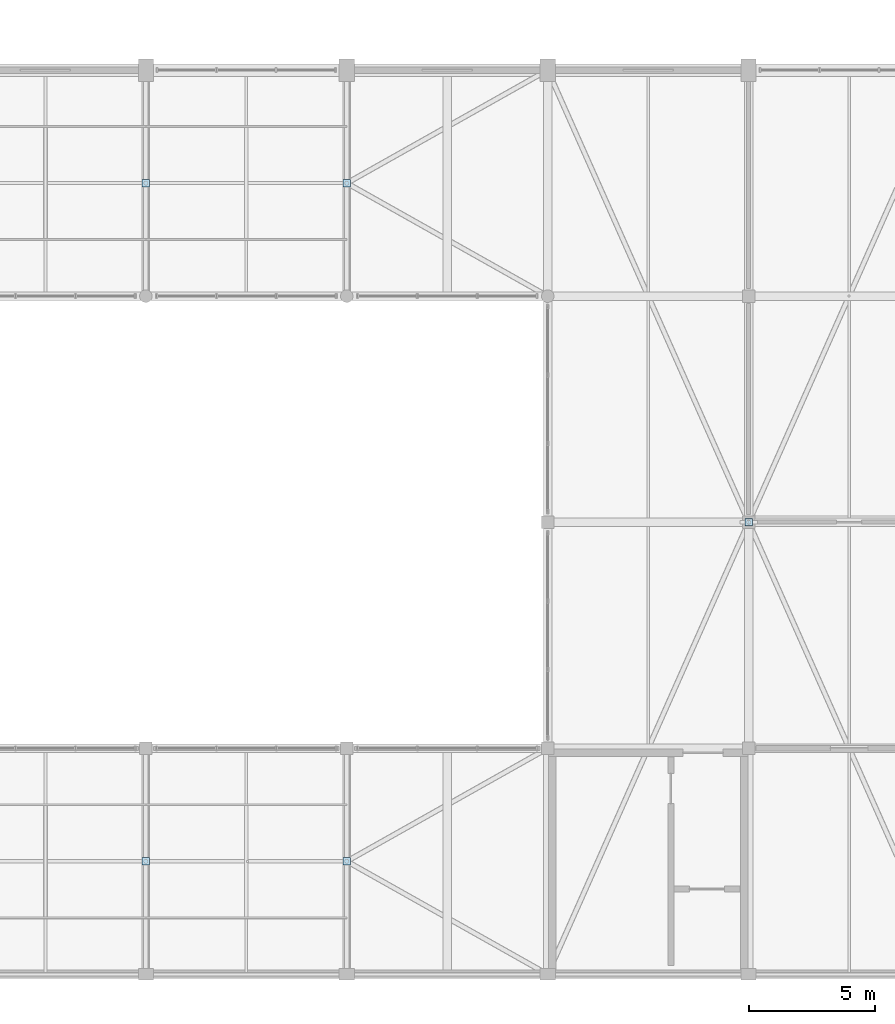
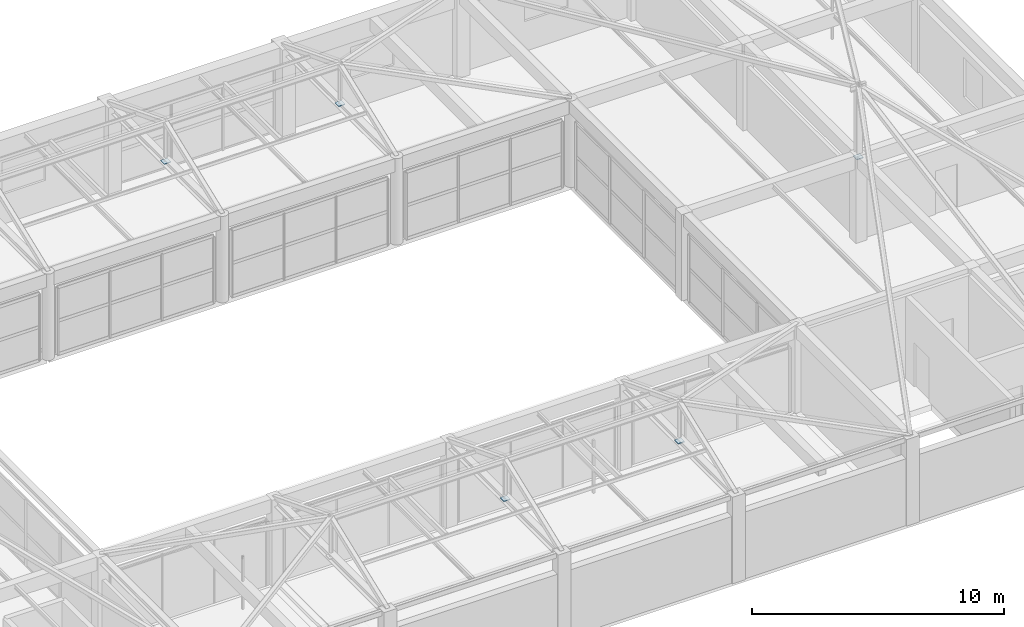
# One storey, part 52 of 65: 5 plates.
"""IFC4 building model written with IfcOpenShell, lengths in metres."""

from ifc_helpers import new_model, si_unit, direction, frame, origin, origin_2d, place, context, subcontext, project, spatial, rectangle, extrude, material, layer, layer_set, type_object, element, save


model = new_model("IFC4")

# Units and contexts
model_context = context("Model", 3, precision=1e-05, world=origin(), true_north=direction((0.0, 1.0)))
body_context = subcontext(model_context, "Body", "Model", "MODEL_VIEW")
ifc_project = project(units=[si_unit("LENGTHUNIT", "METRE"), si_unit("AREAUNIT", "SQUARE_METRE"), si_unit("VOLUMEUNIT", "CUBIC_METRE"), si_unit("PLANEANGLEUNIT", "RADIAN"), si_unit("MASSUNIT", "GRAM", prefix="KILO")], contexts=[model_context])

# Site, building, storey
site_placement = place(None, origin())
site = spatial("IfcSite", under=ifc_project, at=site_placement, CompositionType="ELEMENT")
building_placement = place(site_placement, origin())
building = spatial("IfcBuilding", under=site, at=building_placement, Name="Varnabhumi Central Station", CompositionType="ELEMENT")
storey_placement = place(building_placement, frame((0.0, 0.0, 24.60009765625)))
storey = spatial("IfcBuildingStorey", under=building, at=storey_placement, Name="L05", CompositionType="ELEMENT", Elevation=24.60009765625)

# Plates
ifc_material = material(Name="Structural steel E350", Category="steel")
ifc_layer = layer(ifc_material, 0.050048828125, Name="Structural steel E350", Category="steel")
ifc_layer_set = layer_set([ifc_layer], Name="Structural steel E350")
plate_type = type_object("IfcPlateType", Name="PLT-BASE-1100", PredefinedType="USERDEFINED", material=ifc_layer_set)
for number, where, z_axis, x_axis, name in (
    (1, (128.0, 4.5, 3.9501953125), (0.0, 0.0, 1.0), (1.0, 0.0, 0.0), "Roof Strut Base Plate SW6CS-3"),
    (2, (136.0, 4.5, 3.9501953125), (0.0, 0.0, 1.0), (1.0, 0.0, 0.0), "Roof Strut Base Plate SW6CS-4"),
    (3, (128.0, 31.5, 3.9501953125), (0.0, 0.0, 1.0), (1.0, 0.0, 0.0), "Roof Strut Base Plate SW6CN-3"),
    (4, (136.0, 31.5, 3.9501953125), (0.0, 0.0, 1.0), (1.0, 0.0, 0.0), "Roof Strut Base Plate SW6CN-4"),
    (5, (152.0, 18.0, 3.9501953125), (0.0, 0.0, 1.0), (1.0, 0.0, 0.0), "Roof Strut Base Plate SW6W-2"),
):
    element("IfcPlate", number, at=place(storey_placement, frame(where, z_axis=z_axis, x_axis=x_axis)), inside=storey, type_object=plate_type, Name=name, ObjectType="BASE PLATE", PredefinedType="USERDEFINED", context=body_context, shape_type="SweptSolid", body=[
        extrude(rectangle(XDim=0.300048828125, YDim=0.300048828125, at=origin_2d()), origin(), (0.0, 0.0, 1.0), 0.035888671875),
    ])

save(model, "model.ifc")
